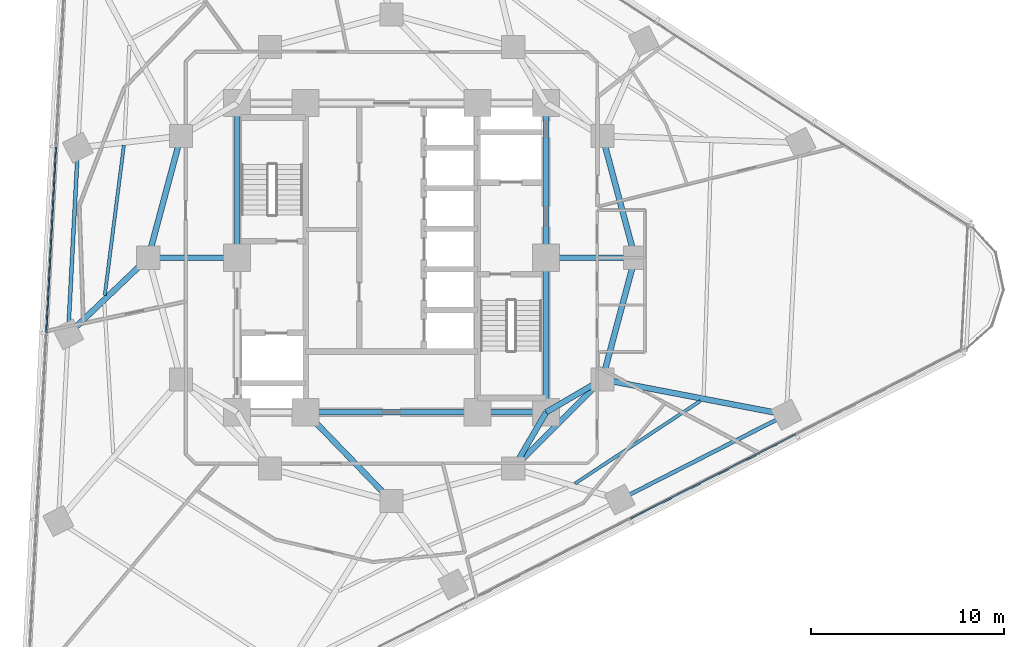
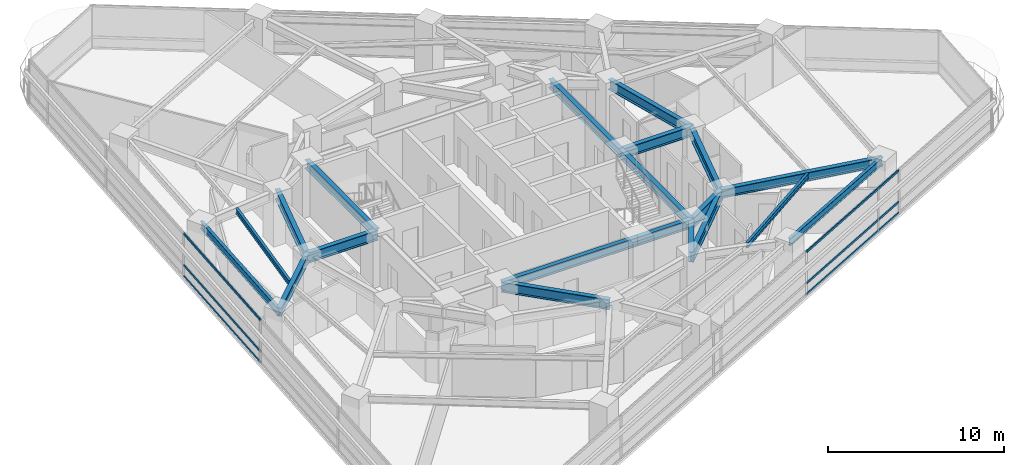
# One storey, part 3 of 14: 20 beams, 6 members, 2 elements without a shape of their own.
"""IFC4 building model written with IfcOpenShell, lengths in metres."""

from ifc_helpers import new_model, si_unit, direction, frame, origin, origin_2d, place, context, subcontext, project, spatial, rectangle, i_section, extrude, material, layer, layer_set, material_profile, profile_set, type_object, element, aggregate, save


model = new_model("IFC4")

# Units and contexts
model_context = context("Model", 3, precision=1e-05, world=origin(), true_north=direction((0.0, 1.0)))
body_context = subcontext(model_context, "Body", "Model", "MODEL_VIEW")
ifc_project = project(units=[si_unit("LENGTHUNIT", "METRE"), si_unit("AREAUNIT", "SQUARE_METRE"), si_unit("VOLUMEUNIT", "CUBIC_METRE"), si_unit("PLANEANGLEUNIT", "RADIAN"), si_unit("MASSUNIT", "GRAM", prefix="KILO")], contexts=[model_context])

# Site, building, storey
site_placement = place(None, origin())
site = spatial("IfcSite", under=ifc_project, at=site_placement, CompositionType="ELEMENT")
building_placement = place(site_placement, origin())
building = spatial("IfcBuilding", under=site, at=building_placement, Name="Terralouvre Media Tower", CompositionType="ELEMENT")
storey_placement = place(building_placement, frame((0.0, 0.0, 123.60009765625)))
storey = spatial("IfcBuildingStorey", under=building, at=storey_placement, Name="L31", CompositionType="ELEMENT", Elevation=123.60009765625)

# Beams
ifc_material_1 = material(Name="Structural steel S355J2", Category="steel")
ifc_material_profile_1 = material_profile(ifc_material_1, i_section(OverallWidth=0.169921875, OverallDepth=0.360107421875, WebThickness=0.008056640625, FlangeThickness=0.0126953125, at=origin_2d()), Name="IPE 360")
ifc_profile_set_1 = profile_set([ifc_material_profile_1], Name="Structural steel S355J2")
beam_type_1 = type_object("IfcBeamType", Name="Composite Floor Joist J-IPE360 (IPE 360)", PredefinedType="JOIST", material=ifc_profile_set_1)
beam_1_placement = place(storey_placement, frame((9.494873046875, -11.69140625, 3.31982421875), z_axis=(0.835078132026, 0.550131360142, 0.0), x_axis=(-0.550131360142, 0.835078132026, 0.0)))
element("IfcBeam", 1, at=beam_1_placement, inside=storey, type_object=beam_type_1, Name="L31 Framing Beam JT-L31-05", PredefinedType="JOIST", context=body_context, shape_type="SweptSolid", body=[
    extrude(i_section(OverallWidth=0.169921875, OverallDepth=0.360107421875, WebThickness=0.008056640625, FlangeThickness=0.0126953125, at=origin_2d()), origin(), (0.0, 0.0, 1.0), 7.75830078125),
])
beam_2_placement = place(storey_placement, frame((-13.864990234375, 5.81787109375, 3.31982421875), z_axis=(-0.126325695796, -0.991988819787, 0.0), x_axis=(0.991988819787, -0.126325695796, 0.0)))
element("IfcBeam", 2, at=beam_2_placement, inside=storey, type_object=beam_type_1, Name="L31 Framing Beam JT-L31-12", PredefinedType="JOIST", context=body_context, shape_type="SweptSolid", body=[
    extrude(i_section(OverallWidth=0.169921875, OverallDepth=0.360107421875, WebThickness=0.008056640625, FlangeThickness=0.0126953125, at=origin_2d()), origin(), (0.0, 0.0, 1.0), 7.8291015625),
])

# Curtain wall, members
ifc_material_2 = material(Name="Low-iron laminated double glazing with solar-control coating", Category="glass")
ifc_layer = layer(ifc_material_2, 0.1650390625, Name="Production Studio Tower Curtain Wall CW-03")
ifc_layer_set = layer_set([ifc_layer], Name="Low-iron laminated double glazing with solar-control coating")
curtain_wall_type = type_object("IfcCurtainWallType", Name="Production Studio Tower Curtain Wall CW-03", PredefinedType="NOTDEFINED", material=ifc_layer_set)
curtain_wall_1_placement = place(storey_placement, origin())
curtain_wall_1 = element("IfcCurtainWall", 3, at=curtain_wall_1_placement, inside=storey, type_object=curtain_wall_type, Name="L31 Facade Curtain Wall F0", PredefinedType="NOTDEFINED")
ifc_material_3 = material(Name="Anodised extruded aluminium 6063-T6", Category="aluminium")
ifc_material_profile_2 = material_profile(ifc_material_3, rectangle(XDim=0.074951171875, YDim=0.14990234375, at=origin_2d()), Name="ALU 75x150")
ifc_profile_set_2 = profile_set([ifc_material_profile_2], Name="Anodised extruded aluminium 6063-T6")
member_type = type_object("IfcMemberType", Name="Curtain-Wall Horizontal Transom TR-150", PredefinedType="USERDEFINED", material=ifc_profile_set_2)
member_1_placement = place(storey_placement, frame((12.359619140625, -13.513671875, 0.037353515625), z_axis=(0.891005548508, 0.453992414615, 0.0), x_axis=(-0.453992414615, 0.891005548508, 0.0)))
member_1 = element("IfcMember", 4, at=member_1_placement, type_object=member_type, Name="CW-03 transom 4.1", ObjectType="TRANSOM", PredefinedType="USERDEFINED", context=body_context, shape_type="SweptSolid", body=[
    extrude(rectangle(XDim=0.074951171875, YDim=0.14990234375, at=origin_2d()), origin(), (0.0, 0.0, 1.0), 9.60498046875),
])
member_2_placement = place(storey_placement, frame((12.359619140625, -13.513671875, 0.7998046875), z_axis=(0.891005548508, 0.453992414615, 0.0), x_axis=(-0.453992414615, 0.891005548508, 0.0)))
member_2 = element("IfcMember", 5, at=member_2_placement, type_object=member_type, Name="CW-03 transom 4.2", ObjectType="TRANSOM", PredefinedType="USERDEFINED", context=body_context, shape_type="SweptSolid", body=[
    extrude(rectangle(XDim=0.074951171875, YDim=0.14990234375, at=origin_2d()), origin(), (0.0, 0.0, 1.0), 9.60498046875),
])
member_3_placement = place(storey_placement, frame((12.359619140625, -13.513671875, 2.96240234375), z_axis=(0.891005548508, 0.453992414615, 0.0), x_axis=(-0.453992414615, 0.891005548508, 0.0)))
member_3 = element("IfcMember", 6, at=member_3_placement, type_object=member_type, Name="CW-03 transom 4.3", ObjectType="TRANSOM", PredefinedType="USERDEFINED", context=body_context, shape_type="SweptSolid", body=[
    extrude(rectangle(XDim=0.074951171875, YDim=0.14990234375, at=origin_2d()), origin(), (0.0, 0.0, 1.0), 9.60498046875),
])
aggregate(curtain_wall_1, [member_1, member_2, member_3])

curtain_wall_2_placement = place(storey_placement, origin())
curtain_wall_2 = element("IfcCurtainWall", 7, at=curtain_wall_2_placement, inside=storey, type_object=curtain_wall_type, Name="L31 Facade Curtain Wall F2", PredefinedType="NOTDEFINED")
member_4_placement = place(storey_placement, frame((-17.37646484375, 5.7197265625, 0.037353515625), z_axis=(-0.052336036535, -0.998629530547, 0.0), x_axis=(0.998629530547, -0.052336036535, 0.0)))
member_4 = element("IfcMember", 8, at=member_4_placement, type_object=member_type, Name="CW-03 transom 3.1", ObjectType="TRANSOM", PredefinedType="USERDEFINED", context=body_context, shape_type="SweptSolid", body=[
    extrude(rectangle(XDim=0.074951171875, YDim=0.14990234375, at=origin_2d()), origin(), (0.0, 0.0, 1.0), 9.60498046875),
])
member_5_placement = place(storey_placement, frame((-17.37646484375, 5.7197265625, 0.7998046875), z_axis=(-0.052336036535, -0.998629530547, 0.0), x_axis=(0.998629530547, -0.052336036535, 0.0)))
member_5 = element("IfcMember", 9, at=member_5_placement, type_object=member_type, Name="CW-03 transom 3.2", ObjectType="TRANSOM", PredefinedType="USERDEFINED", context=body_context, shape_type="SweptSolid", body=[
    extrude(rectangle(XDim=0.074951171875, YDim=0.14990234375, at=origin_2d()), origin(), (0.0, 0.0, 1.0), 9.60498046875),
])
member_6_placement = place(storey_placement, frame((-17.37646484375, 5.7197265625, 2.96240234375), z_axis=(-0.052336036535, -0.998629530547, 0.0), x_axis=(0.998629530547, -0.052336036535, 0.0)))
member_6 = element("IfcMember", 10, at=member_6_placement, type_object=member_type, Name="CW-03 transom 3.3", ObjectType="TRANSOM", PredefinedType="USERDEFINED", context=body_context, shape_type="SweptSolid", body=[
    extrude(rectangle(XDim=0.074951171875, YDim=0.14990234375, at=origin_2d()), origin(), (0.0, 0.0, 1.0), 9.60498046875),
])
aggregate(curtain_wall_2, [member_4, member_5, member_6])

# Beams
ifc_material_4 = material(Name="Structural steel S355J2", Category="steel")
ifc_material_profile_3 = material_profile(ifc_material_4, i_section(OverallWidth=0.199951171875, OverallDepth=0.5, WebThickness=0.01025390625, FlangeThickness=0.01611328125, at=origin_2d()), Name="IPE 500")
ifc_profile_set_3 = profile_set([ifc_material_profile_3], Name="Structural steel S355J2")
beam_type_2 = type_object("IfcBeamType", Name="Perimeter Spandrel Beam SPB-500 (IPE 500)", PredefinedType="SPANDREL", material=ifc_profile_set_3)
for number, where, z_axis, x_axis, name in (
    (11, (11.813232421875, -12.523681640625, 3.25), (0.891011779054, 0.453980186338, 0.0), (-0.453980186338, 0.891011779054, 0.0), "L31 Framing Beam BM-L31-PR05"),
    (12, (-16.245849609375, 5.697998046875, 3.25), (-0.052333792648, -0.998629648141, 0.0), (0.998629648141, -0.052333792648, 0.0), "L31 Framing Beam BM-L31-PR12"),
):
    element("IfcBeam", number, at=place(storey_placement, frame(where, z_axis=z_axis, x_axis=x_axis)), inside=storey, type_object=beam_type_2, Name=name, PredefinedType="SPANDREL", context=body_context, shape_type="SweptSolid", body=[
        extrude(i_section(OverallWidth=0.199951171875, OverallDepth=0.5, WebThickness=0.01025390625, FlangeThickness=0.01611328125, at=origin_2d()), origin(), (0.0, 0.0, 1.0), 9.679931640625),
    ])
ifc_material_5 = material(Name="Structural steel S460M", Category="steel")
ifc_material_profile_4 = material_profile(ifc_material_5, i_section(OverallWidth=0.300048828125, OverallDepth=0.60009765625, WebThickness=0.015380859375, FlangeThickness=0.030029296875, at=origin_2d()), Name="HEB 600")
ifc_profile_set_4 = profile_set([ifc_material_profile_4], Name="Structural steel S460M")
beam_type_3 = type_object("IfcBeamType", Name="Primary Floor Girder B-HEB600 (HEB 600)", PredefinedType="BEAM", material=ifc_profile_set_4)
beam_3_placement = place(storey_placement, frame((-4.449951171875, -8.0, 3.199951171875), z_axis=(1.0, 0.0, 0.0), x_axis=(0.0, 1.0, 0.0)))
element("IfcBeam", 13, at=beam_3_placement, inside=storey, type_object=beam_type_3, Name="L31 Framing Beam BM-L31-CPR02", PredefinedType="BEAM", context=body_context, shape_type="SweptSolid", body=[
    extrude(i_section(OverallWidth=0.300048828125, OverallDepth=0.60009765625, WebThickness=0.015380859375, FlangeThickness=0.030029296875, at=origin_2d()), origin(), (0.0, 0.0, 1.0), 8.89990234375),
])
beam_4_placement = place(storey_placement, frame((4.449951171875, -8.0, 3.199951171875), z_axis=(1.0, 0.0, 0.0), x_axis=(0.0, 1.0, 0.0)))
element("IfcBeam", 14, at=beam_4_placement, inside=storey, type_object=beam_type_3, Name="L31 Framing Beam BM-L31-CPR03", PredefinedType="BEAM", context=body_context, shape_type="SweptSolid", body=[
    extrude(i_section(OverallWidth=0.300048828125, OverallDepth=0.60009765625, WebThickness=0.015380859375, FlangeThickness=0.030029296875, at=origin_2d()), origin(), (0.0, 0.0, 1.0), 3.550048828125),
])
for number, where, z_axis, x_axis, name in (
    (15, (8.0, -8.0, 3.199951171875), (0.0, 1.0, 0.0), (-1.0, 0.0, 0.0), "L31 Framing Beam BM-L31-CPR04"),
    (16, (8.0, 0.0, 3.199951171875), (0.0, 1.0, 0.0), (-1.0, 0.0, 0.0), "L31 Framing Beam BM-L31-CPR05"),
    (17, (-8.0, 8.0, 3.199951171875), (0.0, -1.0, 0.0), (1.0, 0.0, 0.0), "L31 Framing Beam BM-L31-CPR09"),
):
    element("IfcBeam", number, at=place(storey_placement, frame(where, z_axis=z_axis, x_axis=x_axis)), inside=storey, type_object=beam_type_3, Name=name, PredefinedType="BEAM", context=body_context, shape_type="SweptSolid", body=[
        extrude(i_section(OverallWidth=0.300048828125, OverallDepth=0.60009765625, WebThickness=0.015380859375, FlangeThickness=0.030029296875, at=origin_2d()), origin(), (0.0, 0.0, 1.0), 8.0),
    ])
beam_5_placement = place(storey_placement, frame((-12.60009765625, 0.0, 3.199951171875), z_axis=(-0.722907652864, -0.690944661627, 0.0), x_axis=(0.690944661627, -0.722907652864, 0.0)))
element("IfcBeam", 18, at=beam_5_placement, inside=storey, type_object=beam_type_3, Name="L31 Framing Beam BM-L31-RD01", PredefinedType="BEAM", context=body_context, shape_type="SweptSolid", body=[
    extrude(i_section(OverallWidth=0.300048828125, OverallDepth=0.60009765625, WebThickness=0.015380859375, FlangeThickness=0.030029296875, at=origin_2d()), origin(), (0.0, 0.0, 1.0), 5.743896484375),
])
beam_6_placement = place(storey_placement, frame((10.911865234375, -6.300048828125, 3.199951171875), z_axis=(0.982061695862, -0.188559872511, 0.0), x_axis=(0.188559872511, 0.982061695862, 0.0)))
element("IfcBeam", 19, at=beam_6_placement, inside=storey, type_object=beam_type_3, Name="L31 Framing Beam BM-L31-RD06", PredefinedType="BEAM", context=body_context, shape_type="SweptSolid", body=[
    extrude(i_section(OverallWidth=0.300048828125, OverallDepth=0.60009765625, WebThickness=0.015380859375, FlangeThickness=0.030029296875, at=origin_2d()), origin(), (0.0, 0.0, 1.0), 9.700439453125),
])
ifc_material_6 = material(Name="Structural steel S460M", Category="steel")
ifc_material_profile_5 = material_profile(ifc_material_6, i_section(OverallWidth=0.300048828125, OverallDepth=0.699951171875, WebThickness=0.01708984375, FlangeThickness=0.031982421875, at=origin_2d()), Name="HEB 700")
ifc_profile_set_5 = profile_set([ifc_material_profile_5], Name="Structural steel S460M")
beam_type_4 = type_object("IfcBeamType", Name="Primary Floor Girder B-HEB700 (HEB 700)", PredefinedType="BEAM", material=ifc_profile_set_5)
beam_7_placement = place(storey_placement, frame((6.300048828125, -10.911865234375, 3.14990234375), z_axis=(0.707106781187, 0.707106781187, 0.0), x_axis=(-0.707106781187, 0.707106781187, 0.0)))
element("IfcBeam", 20, at=beam_7_placement, inside=storey, type_object=beam_type_4, Name="L31 Framing Beam BM-L31-MR04", PredefinedType="BEAM", context=body_context, shape_type="SweptSolid", body=[
    extrude(i_section(OverallWidth=0.300048828125, OverallDepth=0.699951171875, WebThickness=0.01708984375, FlangeThickness=0.031982421875, at=origin_2d()), origin(), (0.0, 0.0, 1.0), 6.52197265625),
])
for number, where, z_axis, x_axis, name in (
    (21, (10.911865234375, -6.300048828125, 3.14990234375), (0.258838989821, 0.965920481897, 0.0), (-0.965920481897, 0.258838989821, 0.0), "L31 Framing Beam BM-L31-MR05"),
    (22, (12.60009765625, 0.0, 3.14990234375), (-0.258838989821, 0.965920481897, 0.0), (-0.965920481897, -0.258838989821, 0.0), "L31 Framing Beam BM-L31-MR06"),
    (23, (-10.911865234375, 6.300048828125, 3.14990234375), (-0.258838989821, -0.965920481897, 0.0), (0.965920481897, -0.258838989821, 0.0), "L31 Framing Beam BM-L31-MR11"),
):
    element("IfcBeam", number, at=place(storey_placement, frame(where, z_axis=z_axis, x_axis=x_axis)), inside=storey, type_object=beam_type_4, Name=name, PredefinedType="BEAM", context=body_context, shape_type="SweptSolid", body=[
        extrude(i_section(OverallWidth=0.300048828125, OverallDepth=0.699951171875, WebThickness=0.01708984375, FlangeThickness=0.031982421875, at=origin_2d()), origin(), (0.0, 0.0, 1.0), 6.522216796875),
    ])
beam_8_placement = place(storey_placement, frame((-4.449951171875, -8.0, 3.14990234375), z_axis=(0.695279715726, -0.718739255155, 0.0), x_axis=(0.718739255155, 0.695279715726, 0.0)))
element("IfcBeam", 24, at=beam_8_placement, inside=storey, type_object=beam_type_4, Name="L31 Framing Beam BM-L31-CM03", PredefinedType="BEAM", context=body_context, shape_type="SweptSolid", body=[
    extrude(i_section(OverallWidth=0.300048828125, OverallDepth=0.699951171875, WebThickness=0.01708984375, FlangeThickness=0.031982421875, at=origin_2d()), origin(), (0.0, 0.0, 1.0), 6.400146484375),
])
for number, where, z_axis, x_axis, name in (
    (25, (8.0, -8.0, 3.14990234375), (-0.504172629717, -0.863602894532, 0.0), (0.863602894532, -0.504172629717, 0.0), "L31 Framing Beam BM-L31-CM04"),
    (26, (8.0, -8.0, 3.14990234375), (0.863602894532, 0.504172629717, 0.0), (-0.504172629717, 0.863602894532, 0.0), "L31 Framing Beam BM-L31-CM05"),
):
    element("IfcBeam", number, at=place(storey_placement, frame(where, z_axis=z_axis, x_axis=x_axis)), inside=storey, type_object=beam_type_4, Name=name, PredefinedType="BEAM", context=body_context, shape_type="SweptSolid", body=[
        extrude(i_section(OverallWidth=0.300048828125, OverallDepth=0.699951171875, WebThickness=0.01708984375, FlangeThickness=0.031982421875, at=origin_2d()), origin(), (0.0, 0.0, 1.0), 3.371826171875),
    ])
for number, where, z_axis, x_axis, name in (
    (27, (8.0, 0.0, 3.14990234375), (1.0, 0.0, 0.0), (0.0, 1.0, 0.0), "L31 Framing Beam BM-L31-CM06"),
    (28, (-8.0, 0.0, 3.14990234375), (-1.0, 0.0, 0.0), (0.0, -1.0, 0.0), "L31 Framing Beam BM-L31-CM12"),
):
    element("IfcBeam", number, at=place(storey_placement, frame(where, z_axis=z_axis, x_axis=x_axis)), inside=storey, type_object=beam_type_4, Name=name, PredefinedType="BEAM", context=body_context, shape_type="SweptSolid", body=[
        extrude(i_section(OverallWidth=0.300048828125, OverallDepth=0.699951171875, WebThickness=0.01708984375, FlangeThickness=0.031982421875, at=origin_2d()), origin(), (0.0, 0.0, 1.0), 4.60009765625),
    ])

save(model, "model.ifc")
